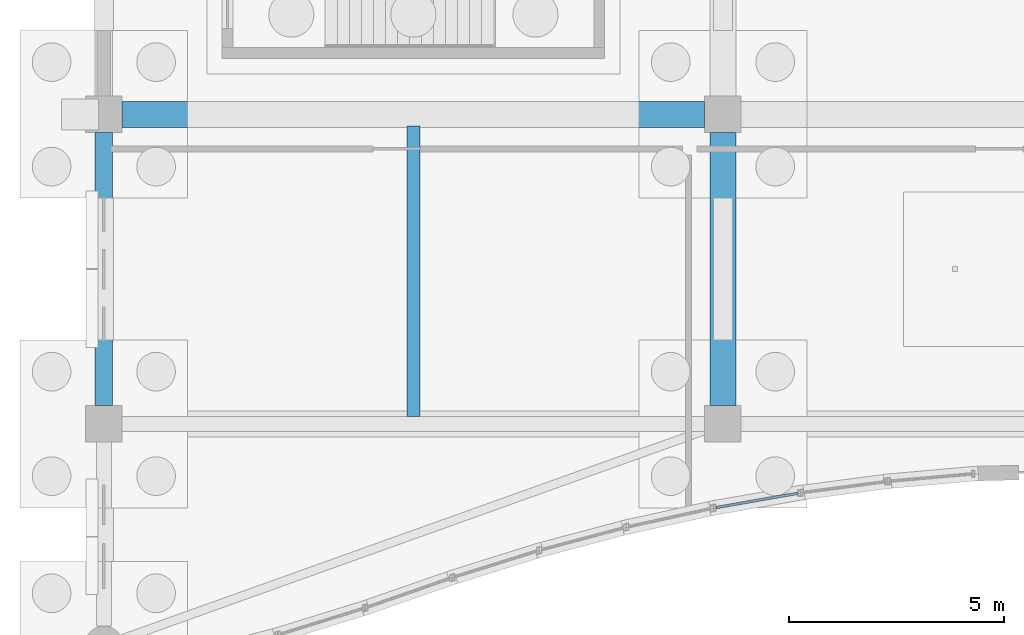
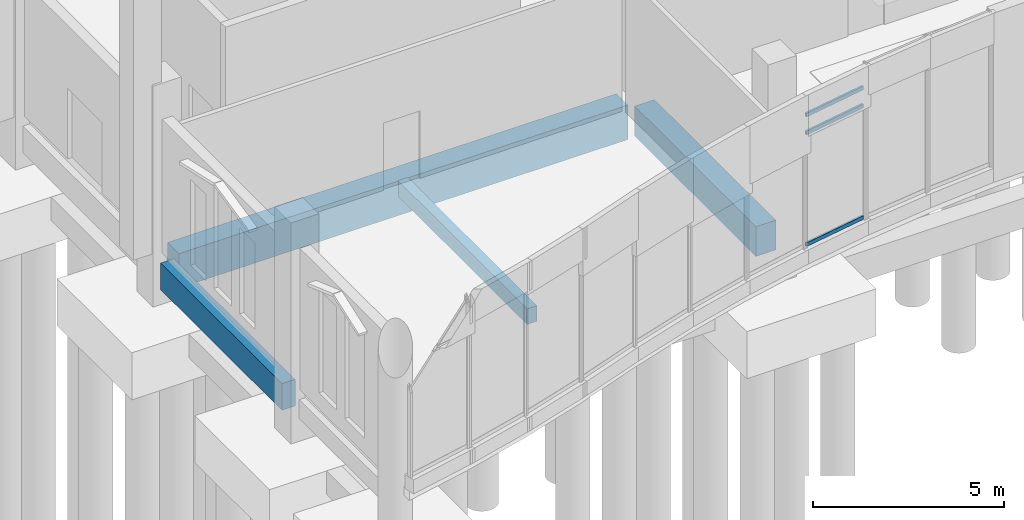
# One storey, part 23 of 192: 4 beams, 3 members, 1 element without a shape of its own.
"""IFC4 building model written with IfcOpenShell, lengths in metres."""

from ifc_helpers import new_model, si_unit, direction, frame, origin, origin_2d, place, context, subcontext, project, spatial, rectangle, hollow_rectangle, extrude, material, material_profile, profile_set, type_object, element, aggregate, save


model = new_model("IFC4")

# Units and contexts
model_context = context("Model", 3, precision=1e-05, world=origin(), true_north=direction((0.0, 1.0)))
body_context = subcontext(model_context, "Body", "Model", "MODEL_VIEW")
ifc_project = project(units=[si_unit("LENGTHUNIT", "METRE"), si_unit("AREAUNIT", "SQUARE_METRE"), si_unit("VOLUMEUNIT", "CUBIC_METRE"), si_unit("PLANEANGLEUNIT", "RADIAN"), si_unit("MASSUNIT", "GRAM", prefix="KILO")], contexts=[model_context])

# Site, building, storey
site_placement = place(None, origin())
site = spatial("IfcSite", under=ifc_project, at=site_placement, CompositionType="ELEMENT")
building_placement = place(site_placement, origin())
building = spatial("IfcBuilding", under=site, at=building_placement, Name="Cendralis Lancet Convention Centre", CompositionType="ELEMENT")
storey_placement = place(building_placement, origin())
storey = spatial("IfcBuildingStorey", under=building, at=storey_placement, Name="L00", CompositionType="ELEMENT", Elevation=0.0)

# Curtain wall, members
ifc_material_1 = material(Name="Anodised bronze architectural aluminium", Category="aluminium")
curtain_wall_type = type_object("IfcCurtainWallType", Name="ARC-CW-WF01", PredefinedType="USERDEFINED", material=ifc_material_1)
curtain_wall_placement = place(storey_placement, origin())
curtain_wall = element("IfcCurtainWall", 1, at=curtain_wall_placement, inside=storey, type_object=curtain_wall_type, Name="L00 Curtain Wall CW-WF1 #008", ObjectType="CURTAIN WALL", PredefinedType="USERDEFINED")
ifc_material_profile_1 = material_profile(ifc_material_1, hollow_rectangle(XDim=0.06005859375, YDim=0.1201171875, WallThickness=0.00390625, at=origin_2d()), Name="AL-TRAN 60x120x4.0")
ifc_profile_set_1 = profile_set([ifc_material_profile_1], Name="Anodised bronze architectural aluminium")
member_type = type_object("IfcMemberType", Name="ARC-CW-TR01", PredefinedType="USERDEFINED", material=ifc_profile_set_1)
member_1_placement = place(storey_placement, frame((14.236083984375, 5.25341796875, 0.510009765625), z_axis=(0.984982245295, 0.172655658618, 0.0), x_axis=(-0.172655658618, 0.984982245295, 0.0)))
member_1 = element("IfcMember", 2, at=member_1_placement, type_object=member_type, Name="Transom CW2-CW-WF1-L00-008-T0BOT", ObjectType="TRANSOM", PredefinedType="USERDEFINED", context=body_context, shape_type="SweptSolid", body=[
    extrude(hollow_rectangle(XDim=0.06005859375, YDim=0.1201171875, WallThickness=0.00390625, at=origin_2d()), origin(), (0.0, 0.0, 1.0), 1.935791015625),
])
member_2_placement = place(storey_placement, frame((14.236083984375, 5.25341796875, 4.070068359375), z_axis=(0.984982245295, 0.172655658618, 0.0), x_axis=(-0.172655658618, 0.984982245295, 0.0)))
member_2 = element("IfcMember", 3, at=member_2_placement, type_object=member_type, Name="Transom CW2-CW-WF1-L00-008-T0MID", ObjectType="TRANSOM", PredefinedType="USERDEFINED", context=body_context, shape_type="SweptSolid", body=[
    extrude(hollow_rectangle(XDim=0.06005859375, YDim=0.1201171875, WallThickness=0.00390625, at=origin_2d()), origin(), (0.0, 0.0, 1.0), 1.935791015625),
])
member_3_placement = place(storey_placement, frame((14.236083984375, 5.25341796875, 4.64501953125), z_axis=(0.984982245295, 0.172655658618, 0.0), x_axis=(-0.172655658618, 0.984982245295, 0.0)))
member_3 = element("IfcMember", 4, at=member_3_placement, type_object=member_type, Name="Transom CW2-CW-WF1-L00-008-T0TOP", ObjectType="TRANSOM", PredefinedType="USERDEFINED", context=body_context, shape_type="SweptSolid", body=[
    extrude(hollow_rectangle(XDim=0.06005859375, YDim=0.1201171875, WallThickness=0.00390625, at=origin_2d()), origin(), (0.0, 0.0, 1.0), 1.935791015625),
])
aggregate(curtain_wall, [member_1, member_2, member_3])

# Beams
ifc_material_2 = material(Name="Concrete G40 (C40/50)", Category="concrete")
ifc_material_profile_2 = material_profile(ifc_material_2, rectangle(XDim=0.60009765625, YDim=1.10009765625, at=origin_2d()), Name="RCB 600x1100")
ifc_profile_set_2 = profile_set([ifc_material_profile_2], Name="Concrete G40 (C40/50)")
beam_type_1 = type_object("IfcBeamType", Name="STR-BM-BG02", PredefinedType="BEAM", material=ifc_profile_set_2)
beam_1_placement = place(storey_placement, frame((0.425048828125, 14.39990234375, -0.8701171875), z_axis=(1.0, 0.0, 0.0), x_axis=(0.0, 1.0, 0.0)))
element("IfcBeam", 5, at=beam_1_placement, inside=storey, type_object=beam_type_1, Name="L00 Beam BG02 #0662", PredefinedType="BEAM", context=body_context, shape_type="SweptSolid", body=[
    extrude(rectangle(XDim=0.60009765625, YDim=1.10009765625, at=origin_2d()), origin(), (0.0, 0.0, 1.0), 13.550048828125),
])
ifc_material_profile_3 = material_profile(ifc_material_2, rectangle(XDim=0.60009765625, YDim=0.949951171875, at=origin_2d()), Name="RCB 600x950")
ifc_profile_set_3 = profile_set([ifc_material_profile_3], Name="Concrete G40 (C40/50)")
beam_type_2 = type_object("IfcBeamType", Name="STR-BM-BG04", PredefinedType="BEAM", material=ifc_profile_set_3)
beam_2_placement = place(storey_placement, frame((14.39990234375, 7.625, -0.794921875), z_axis=(0.0, 1.0, 0.0), x_axis=(-1.0, 0.0, 0.0)))
element("IfcBeam", 6, at=beam_2_placement, inside=storey, type_object=beam_type_2, Name="L00 Beam BG04 #0695", PredefinedType="BEAM", context=body_context, shape_type="SweptSolid", body=[
    extrude(rectangle(XDim=0.60009765625, YDim=0.949951171875, at=origin_2d()), origin(), (0.0, 0.0, 1.0), 6.35009765625),
])
ifc_material_3 = material(Name="Concrete G35 (C35/45)", Category="concrete")
ifc_material_profile_4 = material_profile(ifc_material_3, rectangle(XDim=0.300048828125, YDim=0.5, at=origin_2d()), Name="RCB 300x500")
ifc_profile_set_4 = profile_set([ifc_material_profile_4], Name="Concrete G35 (C35/45)")
beam_type_3 = type_object("IfcBeamType", Name="STR-JS-BJ03", PredefinedType="JOIST", material=ifc_profile_set_4)
beam_3_placement = place(storey_placement, frame((7.199951171875, 7.375, -0.570068359375), z_axis=(0.0, 1.0, 0.0), x_axis=(-1.0, 0.0, 0.0)))
element("IfcBeam", 7, at=beam_3_placement, inside=storey, type_object=beam_type_3, Name="L00 Beam BJ03 #0719", PredefinedType="JOIST", context=body_context, shape_type="SweptSolid", body=[
    extrude(rectangle(XDim=0.300048828125, YDim=0.5, at=origin_2d()), origin(), (0.0, 0.0, 1.0), 6.75),
])
ifc_material_profile_5 = material_profile(ifc_material_2, rectangle(XDim=0.39990234375, YDim=0.85009765625, at=origin_2d()), Name="RCB 400x850")
ifc_profile_set_5 = profile_set([ifc_material_profile_5], Name="Concrete G40 (C40/50)")
beam_type_4 = type_object("IfcBeamType", Name="STR-SP-SP02", PredefinedType="SPANDREL", material=ifc_profile_set_5)
beam_4_placement = place(storey_placement, frame((0.0, 7.625, -0.7451171875), z_axis=(0.0, 1.0, 0.0), x_axis=(-1.0, 0.0, 0.0)))
element("IfcBeam", 8, at=beam_4_placement, inside=storey, type_object=beam_type_4, Name="L00 Beam SP02 #0692", PredefinedType="SPANDREL", context=body_context, shape_type="SweptSolid", body=[
    extrude(rectangle(XDim=0.39990234375, YDim=0.85009765625, at=origin_2d()), origin(), (0.0, 0.0, 1.0), 6.35009765625),
])

save(model, "model.ifc")
